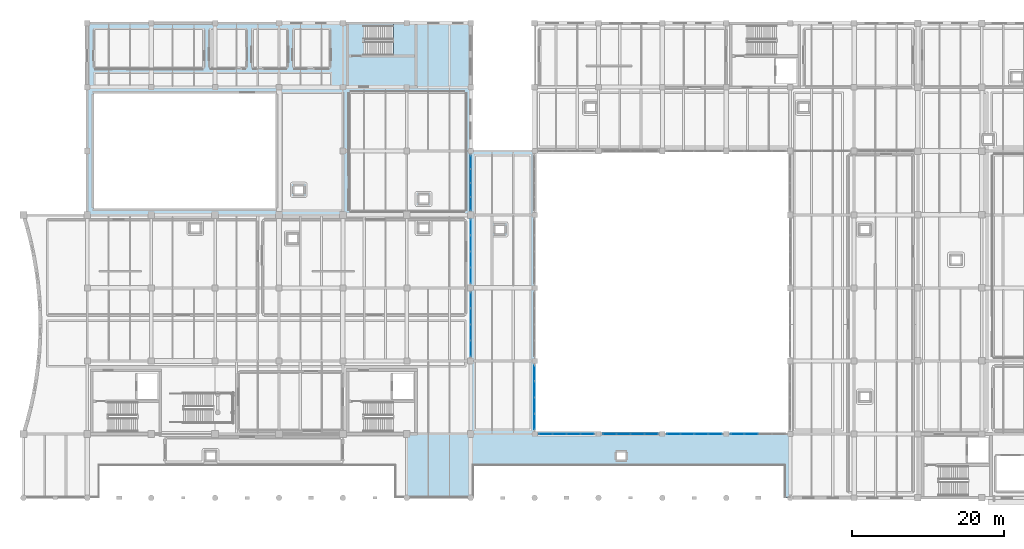
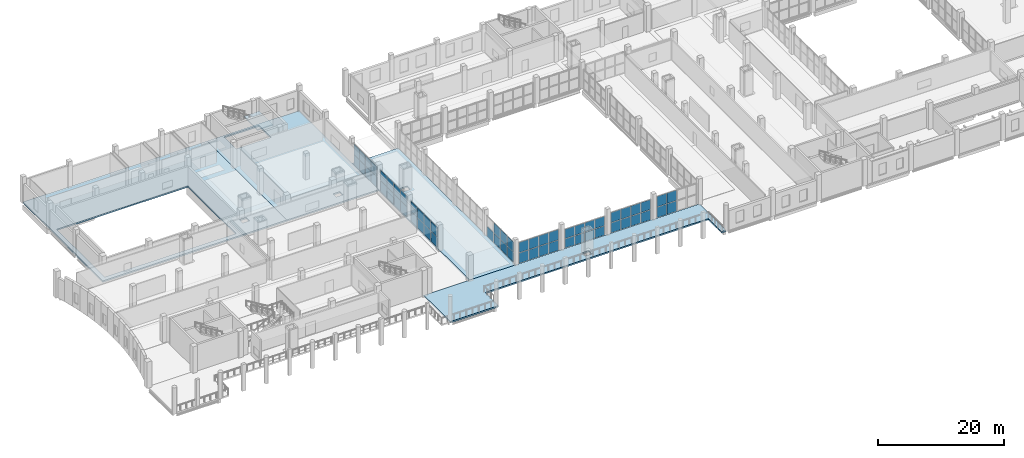
# One storey, part 39 of 66: 59 plates, 5 slabs, 9 elements without a shape of their own.
"""IFC4 building model written with IfcOpenShell, lengths in metres."""

from ifc_helpers import new_model, si_unit, direction, frame, origin, origin_2d, place, context, subcontext, project, spatial, polyline, rectangle, outline, extrude, material, layer, layer_set, type_object, element, aggregate, save


model = new_model("IFC4")

# Units and contexts
model_context = context("Model", 3, precision=1e-05, world=origin(), true_north=direction((0.0, 1.0)))
body_context = subcontext(model_context, "Body", "Model", "MODEL_VIEW")
ifc_project = project(units=[si_unit("LENGTHUNIT", "METRE"), si_unit("AREAUNIT", "SQUARE_METRE"), si_unit("VOLUMEUNIT", "CUBIC_METRE"), si_unit("PLANEANGLEUNIT", "RADIAN"), si_unit("MASSUNIT", "GRAM", prefix="KILO")], contexts=[model_context])

# Site, building, storey
site_placement = place(None, origin())
site = spatial("IfcSite", under=ifc_project, at=site_placement, CompositionType="ELEMENT")
building_placement = place(site_placement, origin())
building = spatial("IfcBuilding", under=site, at=building_placement, Name="Zulmaris Art Gallery", CompositionType="ELEMENT")
storey_placement = place(building_placement, frame((0.0, 0.0, 5.39990234375)))
storey = spatial("IfcBuildingStorey", under=building, at=storey_placement, Name="L01", CompositionType="ELEMENT", Elevation=5.39990234375)

# Curtain wall, plates
ifc_material_1 = material(Name="Cloister & Court Glazed Curtain Wall", Category="aluminium")
ifc_layer_1 = layer(ifc_material_1, 0.179931640625)
ifc_layer_set_1 = layer_set([ifc_layer_1], Name="Cloister & Court Glazed Curtain Wall")
curtain_wall_type = type_object("IfcCurtainWallType", Name="CW-CW03", PredefinedType="NOTDEFINED", material=ifc_layer_set_1)
curtain_wall_1_placement = place(storey_placement, origin())
curtain_wall_1 = element("IfcCurtainWall", 1, at=curtain_wall_1_placement, inside=storey, type_object=curtain_wall_type, Name="L01 curtain wall 71", PredefinedType="NOTDEFINED")
ifc_material_2 = material(Name="Triple Solar-Control Laminated Glass", Category="glass")
ifc_layer_2 = layer(ifc_material_2, 0.035888671875)
ifc_layer_set_2 = layer_set([ifc_layer_2], Name="Triple Solar-Control Laminated Glass")
plate_type = type_object("IfcPlateType", Name="CWPAN-GLZ", PredefinedType="CURTAIN_PANEL", material=ifc_layer_set_2)
plate_1_placement = place(storey_placement, frame((91.199951171875, 29.576171875, 0.0751953125), z_axis=(0.0, 0.0, 1.0), x_axis=(0.0, -1.0, 0.0)))
plate_1 = element("IfcPlate", 2, at=plate_1_placement, type_object=plate_type, Name="CW03 panel 1.1", PredefinedType="CURTAIN_PANEL", context=body_context, shape_type="SweptSolid", body=[
    extrude(rectangle(XDim=2.017578125, YDim=0.031982421875, at=origin_2d()), origin(), (0.0, 0.0, 1.0), 1.922607421875),
])
plate_2_placement = place(storey_placement, frame((91.199951171875, 27.465087890625, 0.0751953125), z_axis=(0.0, 0.0, 1.0), x_axis=(0.0, -1.0, 0.0)))
plate_2 = element("IfcPlate", 3, at=plate_2_placement, type_object=plate_type, Name="CW03 panel 2.1", PredefinedType="CURTAIN_PANEL", context=body_context, shape_type="SweptSolid", body=[
    extrude(rectangle(XDim=2.054931640625, YDim=0.031982421875, at=origin_2d()), origin(), (0.0, 0.0, 1.0), 1.922607421875),
])
plate_3_placement = place(storey_placement, frame((91.199951171875, 27.465087890625, 2.07275390625), z_axis=(0.0, 0.0, 1.0), x_axis=(0.0, -1.0, 0.0)))
plate_3 = element("IfcPlate", 4, at=plate_3_placement, type_object=plate_type, Name="CW03 panel 2.2", PredefinedType="CURTAIN_PANEL", context=body_context, shape_type="SweptSolid", body=[
    extrude(rectangle(XDim=2.054931640625, YDim=0.031982421875, at=origin_2d()), origin(), (0.0, 0.0, 1.0), 1.922607421875),
])
plate_4_placement = place(storey_placement, frame((91.199951171875, 25.3349609375, 0.0751953125), z_axis=(0.0, 0.0, 1.0), x_axis=(0.0, -1.0, 0.0)))
plate_4 = element("IfcPlate", 5, at=plate_4_placement, type_object=plate_type, Name="CW03 panel 3.1", PredefinedType="CURTAIN_PANEL", context=body_context, shape_type="SweptSolid", body=[
    extrude(rectangle(XDim=2.054931640625, YDim=0.031982421875, at=origin_2d()), origin(), (0.0, 0.0, 1.0), 1.922607421875),
])
plate_5_placement = place(storey_placement, frame((91.199951171875, 25.3349609375, 2.07275390625), z_axis=(0.0, 0.0, 1.0), x_axis=(0.0, -1.0, 0.0)))
plate_5 = element("IfcPlate", 6, at=plate_5_placement, type_object=plate_type, Name="CW03 panel 3.2", PredefinedType="CURTAIN_PANEL", context=body_context, shape_type="SweptSolid", body=[
    extrude(rectangle(XDim=2.054931640625, YDim=0.031982421875, at=origin_2d()), origin(), (0.0, 0.0, 1.0), 1.922607421875),
])
plate_6_placement = place(storey_placement, frame((91.199951171875, 23.2236328125, 0.0751953125), z_axis=(0.0, 0.0, 1.0), x_axis=(0.0, -1.0, 0.0)))
plate_6 = element("IfcPlate", 7, at=plate_6_placement, type_object=plate_type, Name="CW03 panel 4.1", PredefinedType="CURTAIN_PANEL", context=body_context, shape_type="SweptSolid", body=[
    extrude(rectangle(XDim=2.017578125, YDim=0.031982421875, at=origin_2d()), origin(), (0.0, 0.0, 1.0), 1.922607421875),
])
plate_7_placement = place(storey_placement, frame((91.199951171875, 23.2236328125, 2.07275390625), z_axis=(0.0, 0.0, 1.0), x_axis=(0.0, -1.0, 0.0)))
plate_7 = element("IfcPlate", 8, at=plate_7_placement, type_object=plate_type, Name="CW03 panel 4.2", PredefinedType="CURTAIN_PANEL", context=body_context, shape_type="SweptSolid", body=[
    extrude(rectangle(XDim=2.017578125, YDim=0.031982421875, at=origin_2d()), origin(), (0.0, 0.0, 1.0), 1.922607421875),
])
aggregate(curtain_wall_1, [plate_1, plate_2, plate_3, plate_4, plate_5, plate_6, plate_7])

curtain_wall_2_placement = place(storey_placement, origin())
curtain_wall_2 = element("IfcCurtainWall", 9, at=curtain_wall_2_placement, inside=storey, type_object=curtain_wall_type, Name="L01 curtain wall 72", PredefinedType="NOTDEFINED")
plate_8_placement = place(storey_placement, frame((82.800048828125, 32.82373046875, 0.0751953125), z_axis=(0.0, 0.0, 1.0), x_axis=(0.0, 1.0, 0.0)))
plate_8 = element("IfcPlate", 10, at=plate_8_placement, type_object=plate_type, Name="CW03 panel 1.1", PredefinedType="CURTAIN_PANEL", context=body_context, shape_type="SweptSolid", body=[
    extrude(rectangle(XDim=2.017578125, YDim=0.031982421875, at=origin_2d()), origin(), (0.0, 0.0, 1.0), 1.922607421875),
])
plate_9_placement = place(storey_placement, frame((82.800048828125, 32.82373046875, 2.07275390625), z_axis=(0.0, 0.0, 1.0), x_axis=(0.0, 1.0, 0.0)))
plate_9 = element("IfcPlate", 11, at=plate_9_placement, type_object=plate_type, Name="CW03 panel 1.2", PredefinedType="CURTAIN_PANEL", context=body_context, shape_type="SweptSolid", body=[
    extrude(rectangle(XDim=2.017578125, YDim=0.031982421875, at=origin_2d()), origin(), (0.0, 0.0, 1.0), 1.922607421875),
])
plate_10_placement = place(storey_placement, frame((82.800048828125, 34.93505859375, 0.0751953125), z_axis=(0.0, 0.0, 1.0), x_axis=(0.0, 1.0, 0.0)))
plate_10 = element("IfcPlate", 12, at=plate_10_placement, type_object=plate_type, Name="CW03 panel 2.1", PredefinedType="CURTAIN_PANEL", context=body_context, shape_type="SweptSolid", body=[
    extrude(rectangle(XDim=2.054931640625, YDim=0.031982421875, at=origin_2d()), origin(), (0.0, 0.0, 1.0), 1.922607421875),
])
plate_11_placement = place(storey_placement, frame((82.800048828125, 34.93505859375, 2.07275390625), z_axis=(0.0, 0.0, 1.0), x_axis=(0.0, 1.0, 0.0)))
plate_11 = element("IfcPlate", 13, at=plate_11_placement, type_object=plate_type, Name="CW03 panel 2.2", PredefinedType="CURTAIN_PANEL", context=body_context, shape_type="SweptSolid", body=[
    extrude(rectangle(XDim=2.054931640625, YDim=0.031982421875, at=origin_2d()), origin(), (0.0, 0.0, 1.0), 1.922607421875),
])
plate_12_placement = place(storey_placement, frame((82.800048828125, 37.06494140625, 0.0751953125), z_axis=(0.0, 0.0, 1.0), x_axis=(0.0, 1.0, 0.0)))
plate_12 = element("IfcPlate", 14, at=plate_12_placement, type_object=plate_type, Name="CW03 panel 3.1", PredefinedType="CURTAIN_PANEL", context=body_context, shape_type="SweptSolid", body=[
    extrude(rectangle(XDim=2.054931640625, YDim=0.031982421875, at=origin_2d()), origin(), (0.0, 0.0, 1.0), 1.922607421875),
])
plate_13_placement = place(storey_placement, frame((82.800048828125, 37.06494140625, 2.07275390625), z_axis=(0.0, 0.0, 1.0), x_axis=(0.0, 1.0, 0.0)))
plate_13 = element("IfcPlate", 15, at=plate_13_placement, type_object=plate_type, Name="CW03 panel 3.2", PredefinedType="CURTAIN_PANEL", context=body_context, shape_type="SweptSolid", body=[
    extrude(rectangle(XDim=2.054931640625, YDim=0.031982421875, at=origin_2d()), origin(), (0.0, 0.0, 1.0), 1.922607421875),
])
plate_14_placement = place(storey_placement, frame((82.800048828125, 39.17626953125, 0.0751953125), z_axis=(0.0, 0.0, 1.0), x_axis=(0.0, 1.0, 0.0)))
plate_14 = element("IfcPlate", 16, at=plate_14_placement, type_object=plate_type, Name="CW03 panel 4.1", PredefinedType="CURTAIN_PANEL", context=body_context, shape_type="SweptSolid", body=[
    extrude(rectangle(XDim=2.017578125, YDim=0.031982421875, at=origin_2d()), origin(), (0.0, 0.0, 1.0), 1.922607421875),
])
plate_15_placement = place(storey_placement, frame((82.800048828125, 39.17626953125, 2.07275390625), z_axis=(0.0, 0.0, 1.0), x_axis=(0.0, 1.0, 0.0)))
plate_15 = element("IfcPlate", 17, at=plate_15_placement, type_object=plate_type, Name="CW03 panel 4.2", PredefinedType="CURTAIN_PANEL", context=body_context, shape_type="SweptSolid", body=[
    extrude(rectangle(XDim=2.017578125, YDim=0.031982421875, at=origin_2d()), origin(), (0.0, 0.0, 1.0), 1.922607421875),
])
aggregate(curtain_wall_2, [plate_8, plate_9, plate_10, plate_11, plate_12, plate_13, plate_14, plate_15])

curtain_wall_3_placement = place(storey_placement, origin())
curtain_wall_3 = element("IfcCurtainWall", 18, at=curtain_wall_3_placement, inside=storey, type_object=curtain_wall_type, Name="L01 curtain wall 74", PredefinedType="NOTDEFINED")
plate_16_placement = place(storey_placement, frame((82.800048828125, 42.423828125, 0.0751953125), z_axis=(0.0, 0.0, 1.0), x_axis=(0.0, 1.0, 0.0)))
plate_16 = element("IfcPlate", 19, at=plate_16_placement, type_object=plate_type, Name="CW03 panel 1.1", PredefinedType="CURTAIN_PANEL", context=body_context, shape_type="SweptSolid", body=[
    extrude(rectangle(XDim=2.017578125, YDim=0.031982421875, at=origin_2d()), origin(), (0.0, 0.0, 1.0), 2.00244140625),
])
plate_17_placement = place(storey_placement, frame((82.800048828125, 42.423828125, 2.152587890625), z_axis=(0.0, 0.0, 1.0), x_axis=(0.0, 1.0, 0.0)))
plate_17 = element("IfcPlate", 20, at=plate_17_placement, type_object=plate_type, Name="CW03 panel 1.2", PredefinedType="CURTAIN_PANEL", context=body_context, shape_type="SweptSolid", body=[
    extrude(rectangle(XDim=2.017578125, YDim=0.031982421875, at=origin_2d()), origin(), (0.0, 0.0, 1.0), 2.00244140625),
])
plate_18_placement = place(storey_placement, frame((82.800048828125, 44.534912109375, 0.0751953125), z_axis=(0.0, 0.0, 1.0), x_axis=(0.0, 1.0, 0.0)))
plate_18 = element("IfcPlate", 21, at=plate_18_placement, type_object=plate_type, Name="CW03 panel 2.1", PredefinedType="CURTAIN_PANEL", context=body_context, shape_type="SweptSolid", body=[
    extrude(rectangle(XDim=2.054931640625, YDim=0.031982421875, at=origin_2d()), origin(), (0.0, 0.0, 1.0), 2.00244140625),
])
plate_19_placement = place(storey_placement, frame((82.800048828125, 44.534912109375, 2.152587890625), z_axis=(0.0, 0.0, 1.0), x_axis=(0.0, 1.0, 0.0)))
plate_19 = element("IfcPlate", 22, at=plate_19_placement, type_object=plate_type, Name="CW03 panel 2.2", PredefinedType="CURTAIN_PANEL", context=body_context, shape_type="SweptSolid", body=[
    extrude(rectangle(XDim=2.054931640625, YDim=0.031982421875, at=origin_2d()), origin(), (0.0, 0.0, 1.0), 2.00244140625),
])
plate_20_placement = place(storey_placement, frame((82.800048828125, 46.6650390625, 0.0751953125), z_axis=(0.0, 0.0, 1.0), x_axis=(0.0, 1.0, 0.0)))
plate_20 = element("IfcPlate", 23, at=plate_20_placement, type_object=plate_type, Name="CW03 panel 3.1", PredefinedType="CURTAIN_PANEL", context=body_context, shape_type="SweptSolid", body=[
    extrude(rectangle(XDim=2.054931640625, YDim=0.031982421875, at=origin_2d()), origin(), (0.0, 0.0, 1.0), 2.00244140625),
])
plate_21_placement = place(storey_placement, frame((82.800048828125, 46.6650390625, 2.152587890625), z_axis=(0.0, 0.0, 1.0), x_axis=(0.0, 1.0, 0.0)))
plate_21 = element("IfcPlate", 24, at=plate_21_placement, type_object=plate_type, Name="CW03 panel 3.2", PredefinedType="CURTAIN_PANEL", context=body_context, shape_type="SweptSolid", body=[
    extrude(rectangle(XDim=2.054931640625, YDim=0.031982421875, at=origin_2d()), origin(), (0.0, 0.0, 1.0), 2.00244140625),
])
plate_22_placement = place(storey_placement, frame((82.800048828125, 48.7763671875, 0.0751953125), z_axis=(0.0, 0.0, 1.0), x_axis=(0.0, 1.0, 0.0)))
plate_22 = element("IfcPlate", 25, at=plate_22_placement, type_object=plate_type, Name="CW03 panel 4.1", PredefinedType="CURTAIN_PANEL", context=body_context, shape_type="SweptSolid", body=[
    extrude(rectangle(XDim=2.017578125, YDim=0.031982421875, at=origin_2d()), origin(), (0.0, 0.0, 1.0), 2.00244140625),
])
plate_23_placement = place(storey_placement, frame((82.800048828125, 48.7763671875, 2.152587890625), z_axis=(0.0, 0.0, 1.0), x_axis=(0.0, 1.0, 0.0)))
plate_23 = element("IfcPlate", 26, at=plate_23_placement, type_object=plate_type, Name="CW03 panel 4.2", PredefinedType="CURTAIN_PANEL", context=body_context, shape_type="SweptSolid", body=[
    extrude(rectangle(XDim=2.017578125, YDim=0.031982421875, at=origin_2d()), origin(), (0.0, 0.0, 1.0), 2.00244140625),
])
aggregate(curtain_wall_3, [plate_16, plate_17, plate_18, plate_19, plate_20, plate_21, plate_22, plate_23])

curtain_wall_4_placement = place(storey_placement, origin())
curtain_wall_4 = element("IfcCurtainWall", 27, at=curtain_wall_4_placement, inside=storey, type_object=curtain_wall_type, Name="L01 curtain wall 76", PredefinedType="NOTDEFINED")
plate_24_placement = place(storey_placement, frame((82.800048828125, 51.873779296875, 0.0751953125), z_axis=(0.0, 0.0, 1.0), x_axis=(0.0, 1.0, 0.0)))
plate_24 = element("IfcPlate", 28, at=plate_24_placement, type_object=plate_type, Name="CW03 panel 1.1", PredefinedType="CURTAIN_PANEL", context=body_context, shape_type="SweptSolid", body=[
    extrude(rectangle(XDim=1.717529296875, YDim=0.031982421875, at=origin_2d()), origin(), (0.0, 0.0, 1.0), 1.972412109375),
])
plate_25_placement = place(storey_placement, frame((82.800048828125, 51.873779296875, 2.12255859375), z_axis=(0.0, 0.0, 1.0), x_axis=(0.0, 1.0, 0.0)))
plate_25 = element("IfcPlate", 29, at=plate_25_placement, type_object=plate_type, Name="CW03 panel 1.2", PredefinedType="CURTAIN_PANEL", context=body_context, shape_type="SweptSolid", body=[
    extrude(rectangle(XDim=1.717529296875, YDim=0.031982421875, at=origin_2d()), origin(), (0.0, 0.0, 1.0), 1.972412109375),
])
plate_26_placement = place(storey_placement, frame((82.800048828125, 53.68505859375, 0.0751953125), z_axis=(0.0, 0.0, 1.0), x_axis=(0.0, 1.0, 0.0)))
plate_26 = element("IfcPlate", 30, at=plate_26_placement, type_object=plate_type, Name="CW03 panel 2.1", PredefinedType="CURTAIN_PANEL", context=body_context, shape_type="SweptSolid", body=[
    extrude(rectangle(XDim=1.7548828125, YDim=0.031982421875, at=origin_2d()), origin(), (0.0, 0.0, 1.0), 1.972412109375),
])
plate_27_placement = place(storey_placement, frame((82.800048828125, 53.68505859375, 2.12255859375), z_axis=(0.0, 0.0, 1.0), x_axis=(0.0, 1.0, 0.0)))
plate_27 = element("IfcPlate", 31, at=plate_27_placement, type_object=plate_type, Name="CW03 panel 2.2", PredefinedType="CURTAIN_PANEL", context=body_context, shape_type="SweptSolid", body=[
    extrude(rectangle(XDim=1.7548828125, YDim=0.031982421875, at=origin_2d()), origin(), (0.0, 0.0, 1.0), 1.972412109375),
])
plate_28_placement = place(storey_placement, frame((82.800048828125, 55.514892578125, 0.0751953125), z_axis=(0.0, 0.0, 1.0), x_axis=(0.0, 1.0, 0.0)))
plate_28 = element("IfcPlate", 32, at=plate_28_placement, type_object=plate_type, Name="CW03 panel 3.1", PredefinedType="CURTAIN_PANEL", context=body_context, shape_type="SweptSolid", body=[
    extrude(rectangle(XDim=1.7548828125, YDim=0.031982421875, at=origin_2d()), origin(), (0.0, 0.0, 1.0), 1.972412109375),
])
plate_29_placement = place(storey_placement, frame((82.800048828125, 55.514892578125, 2.12255859375), z_axis=(0.0, 0.0, 1.0), x_axis=(0.0, 1.0, 0.0)))
plate_29 = element("IfcPlate", 33, at=plate_29_placement, type_object=plate_type, Name="CW03 panel 3.2", PredefinedType="CURTAIN_PANEL", context=body_context, shape_type="SweptSolid", body=[
    extrude(rectangle(XDim=1.7548828125, YDim=0.031982421875, at=origin_2d()), origin(), (0.0, 0.0, 1.0), 1.972412109375),
])
plate_30_placement = place(storey_placement, frame((82.800048828125, 57.326171875, 0.0751953125), z_axis=(0.0, 0.0, 1.0), x_axis=(0.0, 1.0, 0.0)))
plate_30 = element("IfcPlate", 34, at=plate_30_placement, type_object=plate_type, Name="CW03 panel 4.1", PredefinedType="CURTAIN_PANEL", context=body_context, shape_type="SweptSolid", body=[
    extrude(rectangle(XDim=1.717529296875, YDim=0.031982421875, at=origin_2d()), origin(), (0.0, 0.0, 1.0), 1.972412109375),
])
plate_31_placement = place(storey_placement, frame((82.800048828125, 57.326171875, 2.12255859375), z_axis=(0.0, 0.0, 1.0), x_axis=(0.0, 1.0, 0.0)))
plate_31 = element("IfcPlate", 35, at=plate_31_placement, type_object=plate_type, Name="CW03 panel 4.2", PredefinedType="CURTAIN_PANEL", context=body_context, shape_type="SweptSolid", body=[
    extrude(rectangle(XDim=1.717529296875, YDim=0.031982421875, at=origin_2d()), origin(), (0.0, 0.0, 1.0), 1.972412109375),
])
aggregate(curtain_wall_4, [plate_24, plate_25, plate_26, plate_27, plate_28, plate_29, plate_30, plate_31])

curtain_wall_5_placement = place(storey_placement, origin())
curtain_wall_5 = element("IfcCurtainWall", 36, at=curtain_wall_5_placement, inside=storey, type_object=curtain_wall_type, Name="L01 curtain wall 189", PredefinedType="NOTDEFINED")
plate_32_placement = place(storey_placement, frame((92.673828125, 21.60009765625, 0.074951171875), z_axis=(0.0, 0.0, 1.0), x_axis=(1.0, 0.0, 0.0)))
plate_32 = element("IfcPlate", 37, at=plate_32_placement, type_object=plate_type, Name="CW03 panel 1.1", PredefinedType="CURTAIN_PANEL", context=body_context, shape_type="SweptSolid", body=[
    extrude(rectangle(XDim=1.717529296875, YDim=0.031982421875, at=origin_2d()), origin(), (0.0, 0.0, 1.0), 1.97509765625),
])
plate_33_placement = place(storey_placement, frame((92.673828125, 21.60009765625, 2.125), z_axis=(0.0, 0.0, 1.0), x_axis=(1.0, 0.0, 0.0)))
plate_33 = element("IfcPlate", 38, at=plate_33_placement, type_object=plate_type, Name="CW03 panel 1.2", PredefinedType="CURTAIN_PANEL", context=body_context, shape_type="SweptSolid", body=[
    extrude(rectangle(XDim=1.717529296875, YDim=0.031982421875, at=origin_2d()), origin(), (0.0, 0.0, 1.0), 1.97509765625),
])
plate_34_placement = place(storey_placement, frame((94.485107421875, 21.60009765625, 0.074951171875), z_axis=(0.0, 0.0, 1.0), x_axis=(1.0, 0.0, 0.0)))
plate_34 = element("IfcPlate", 39, at=plate_34_placement, type_object=plate_type, Name="CW03 panel 2.1", PredefinedType="CURTAIN_PANEL", context=body_context, shape_type="SweptSolid", body=[
    extrude(rectangle(XDim=1.7548828125, YDim=0.031982421875, at=origin_2d()), origin(), (0.0, 0.0, 1.0), 1.97509765625),
])
plate_35_placement = place(storey_placement, frame((94.485107421875, 21.60009765625, 2.125), z_axis=(0.0, 0.0, 1.0), x_axis=(1.0, 0.0, 0.0)))
plate_35 = element("IfcPlate", 40, at=plate_35_placement, type_object=plate_type, Name="CW03 panel 2.2", PredefinedType="CURTAIN_PANEL", context=body_context, shape_type="SweptSolid", body=[
    extrude(rectangle(XDim=1.7548828125, YDim=0.031982421875, at=origin_2d()), origin(), (0.0, 0.0, 1.0), 1.97509765625),
])
plate_36_placement = place(storey_placement, frame((96.31494140625, 21.60009765625, 0.074951171875), z_axis=(0.0, 0.0, 1.0), x_axis=(1.0, 0.0, 0.0)))
plate_36 = element("IfcPlate", 41, at=plate_36_placement, type_object=plate_type, Name="CW03 panel 3.1", PredefinedType="CURTAIN_PANEL", context=body_context, shape_type="SweptSolid", body=[
    extrude(rectangle(XDim=1.7548828125, YDim=0.031982421875, at=origin_2d()), origin(), (0.0, 0.0, 1.0), 1.97509765625),
])
plate_37_placement = place(storey_placement, frame((96.31494140625, 21.60009765625, 2.125), z_axis=(0.0, 0.0, 1.0), x_axis=(1.0, 0.0, 0.0)))
plate_37 = element("IfcPlate", 42, at=plate_37_placement, type_object=plate_type, Name="CW03 panel 3.2", PredefinedType="CURTAIN_PANEL", context=body_context, shape_type="SweptSolid", body=[
    extrude(rectangle(XDim=1.7548828125, YDim=0.031982421875, at=origin_2d()), origin(), (0.0, 0.0, 1.0), 1.97509765625),
])
plate_38_placement = place(storey_placement, frame((98.126220703125, 21.60009765625, 0.074951171875), z_axis=(0.0, 0.0, 1.0), x_axis=(1.0, 0.0, 0.0)))
plate_38 = element("IfcPlate", 43, at=plate_38_placement, type_object=plate_type, Name="CW03 panel 4.1", PredefinedType="CURTAIN_PANEL", context=body_context, shape_type="SweptSolid", body=[
    extrude(rectangle(XDim=1.717529296875, YDim=0.031982421875, at=origin_2d()), origin(), (0.0, 0.0, 1.0), 1.97509765625),
])
plate_39_placement = place(storey_placement, frame((98.126220703125, 21.60009765625, 2.125), z_axis=(0.0, 0.0, 1.0), x_axis=(1.0, 0.0, 0.0)))
plate_39 = element("IfcPlate", 44, at=plate_39_placement, type_object=plate_type, Name="CW03 panel 4.2", PredefinedType="CURTAIN_PANEL", context=body_context, shape_type="SweptSolid", body=[
    extrude(rectangle(XDim=1.717529296875, YDim=0.031982421875, at=origin_2d()), origin(), (0.0, 0.0, 1.0), 1.97509765625),
])
aggregate(curtain_wall_5, [plate_32, plate_33, plate_34, plate_35, plate_36, plate_37, plate_38, plate_39])

curtain_wall_6_placement = place(storey_placement, origin())
curtain_wall_6 = element("IfcCurtainWall", 45, at=curtain_wall_6_placement, inside=storey, type_object=curtain_wall_type, Name="L01 curtain wall 190", PredefinedType="NOTDEFINED")
plate_40_placement = place(storey_placement, frame((101.07373046875, 21.60009765625, 0.0751953125), z_axis=(0.0, 0.0, 1.0), x_axis=(1.0, 0.0, 0.0)))
plate_40 = element("IfcPlate", 46, at=plate_40_placement, type_object=plate_type, Name="CW03 panel 1.1", PredefinedType="CURTAIN_PANEL", context=body_context, shape_type="SweptSolid", body=[
    extrude(rectangle(XDim=1.717529296875, YDim=0.031982421875, at=origin_2d()), origin(), (0.0, 0.0, 1.0), 1.7724609375),
])
plate_41_placement = place(storey_placement, frame((101.07373046875, 21.60009765625, 1.922607421875), z_axis=(0.0, 0.0, 1.0), x_axis=(1.0, 0.0, 0.0)))
plate_41 = element("IfcPlate", 47, at=plate_41_placement, type_object=plate_type, Name="CW03 panel 1.2", PredefinedType="CURTAIN_PANEL", context=body_context, shape_type="SweptSolid", body=[
    extrude(rectangle(XDim=1.717529296875, YDim=0.031982421875, at=origin_2d()), origin(), (0.0, 0.0, 1.0), 1.7724609375),
])
plate_42_placement = place(storey_placement, frame((102.885009765625, 21.60009765625, 0.0751953125), z_axis=(0.0, 0.0, 1.0), x_axis=(1.0, 0.0, 0.0)))
plate_42 = element("IfcPlate", 48, at=plate_42_placement, type_object=plate_type, Name="CW03 panel 2.1", PredefinedType="CURTAIN_PANEL", context=body_context, shape_type="SweptSolid", body=[
    extrude(rectangle(XDim=1.7548828125, YDim=0.031982421875, at=origin_2d()), origin(), (0.0, 0.0, 1.0), 1.7724609375),
])
plate_43_placement = place(storey_placement, frame((102.885009765625, 21.60009765625, 1.922607421875), z_axis=(0.0, 0.0, 1.0), x_axis=(1.0, 0.0, 0.0)))
plate_43 = element("IfcPlate", 49, at=plate_43_placement, type_object=plate_type, Name="CW03 panel 2.2", PredefinedType="CURTAIN_PANEL", context=body_context, shape_type="SweptSolid", body=[
    extrude(rectangle(XDim=1.7548828125, YDim=0.031982421875, at=origin_2d()), origin(), (0.0, 0.0, 1.0), 1.7724609375),
])
plate_44_placement = place(storey_placement, frame((104.715087890625, 21.60009765625, 0.0751953125), z_axis=(0.0, 0.0, 1.0), x_axis=(1.0, 0.0, 0.0)))
plate_44 = element("IfcPlate", 50, at=plate_44_placement, type_object=plate_type, Name="CW03 panel 3.1", PredefinedType="CURTAIN_PANEL", context=body_context, shape_type="SweptSolid", body=[
    extrude(rectangle(XDim=1.7548828125, YDim=0.031982421875, at=origin_2d()), origin(), (0.0, 0.0, 1.0), 1.7724609375),
])
plate_45_placement = place(storey_placement, frame((104.715087890625, 21.60009765625, 1.922607421875), z_axis=(0.0, 0.0, 1.0), x_axis=(1.0, 0.0, 0.0)))
plate_45 = element("IfcPlate", 51, at=plate_45_placement, type_object=plate_type, Name="CW03 panel 3.2", PredefinedType="CURTAIN_PANEL", context=body_context, shape_type="SweptSolid", body=[
    extrude(rectangle(XDim=1.7548828125, YDim=0.031982421875, at=origin_2d()), origin(), (0.0, 0.0, 1.0), 1.7724609375),
])
plate_46_placement = place(storey_placement, frame((106.5263671875, 21.60009765625, 0.0751953125), z_axis=(0.0, 0.0, 1.0), x_axis=(1.0, 0.0, 0.0)))
plate_46 = element("IfcPlate", 52, at=plate_46_placement, type_object=plate_type, Name="CW03 panel 4.1", PredefinedType="CURTAIN_PANEL", context=body_context, shape_type="SweptSolid", body=[
    extrude(rectangle(XDim=1.717529296875, YDim=0.031982421875, at=origin_2d()), origin(), (0.0, 0.0, 1.0), 1.7724609375),
])
plate_47_placement = place(storey_placement, frame((106.5263671875, 21.60009765625, 1.922607421875), z_axis=(0.0, 0.0, 1.0), x_axis=(1.0, 0.0, 0.0)))
plate_47 = element("IfcPlate", 53, at=plate_47_placement, type_object=plate_type, Name="CW03 panel 4.2", PredefinedType="CURTAIN_PANEL", context=body_context, shape_type="SweptSolid", body=[
    extrude(rectangle(XDim=1.717529296875, YDim=0.031982421875, at=origin_2d()), origin(), (0.0, 0.0, 1.0), 1.7724609375),
])
aggregate(curtain_wall_6, [plate_40, plate_41, plate_42, plate_43, plate_44, plate_45, plate_46, plate_47])

curtain_wall_7_placement = place(storey_placement, origin())
curtain_wall_7 = element("IfcCurtainWall", 54, at=curtain_wall_7_placement, inside=storey, type_object=curtain_wall_type, Name="L01 curtain wall 191", PredefinedType="NOTDEFINED")
plate_48_placement = place(storey_placement, frame((109.4736328125, 21.60009765625, 0.0751953125), z_axis=(0.0, 0.0, 1.0), x_axis=(1.0, 0.0, 0.0)))
plate_48 = element("IfcPlate", 55, at=plate_48_placement, type_object=plate_type, Name="CW03 panel 1.1", PredefinedType="CURTAIN_PANEL", context=body_context, shape_type="SweptSolid", body=[
    extrude(rectangle(XDim=1.717529296875, YDim=0.031982421875, at=origin_2d()), origin(), (0.0, 0.0, 1.0), 1.922607421875),
])
plate_49_placement = place(storey_placement, frame((109.4736328125, 21.60009765625, 2.07275390625), z_axis=(0.0, 0.0, 1.0), x_axis=(1.0, 0.0, 0.0)))
plate_49 = element("IfcPlate", 56, at=plate_49_placement, type_object=plate_type, Name="CW03 panel 1.2", PredefinedType="CURTAIN_PANEL", context=body_context, shape_type="SweptSolid", body=[
    extrude(rectangle(XDim=1.717529296875, YDim=0.031982421875, at=origin_2d()), origin(), (0.0, 0.0, 1.0), 1.922607421875),
])
plate_50_placement = place(storey_placement, frame((111.284912109375, 21.60009765625, 0.0751953125), z_axis=(0.0, 0.0, 1.0), x_axis=(1.0, 0.0, 0.0)))
plate_50 = element("IfcPlate", 57, at=plate_50_placement, type_object=plate_type, Name="CW03 panel 2.1", PredefinedType="CURTAIN_PANEL", context=body_context, shape_type="SweptSolid", body=[
    extrude(rectangle(XDim=1.7548828125, YDim=0.031982421875, at=origin_2d()), origin(), (0.0, 0.0, 1.0), 1.922607421875),
])
plate_51_placement = place(storey_placement, frame((111.284912109375, 21.60009765625, 2.07275390625), z_axis=(0.0, 0.0, 1.0), x_axis=(1.0, 0.0, 0.0)))
plate_51 = element("IfcPlate", 58, at=plate_51_placement, type_object=plate_type, Name="CW03 panel 2.2", PredefinedType="CURTAIN_PANEL", context=body_context, shape_type="SweptSolid", body=[
    extrude(rectangle(XDim=1.7548828125, YDim=0.031982421875, at=origin_2d()), origin(), (0.0, 0.0, 1.0), 1.922607421875),
])
plate_52_placement = place(storey_placement, frame((113.114990234375, 21.60009765625, 0.0751953125), z_axis=(0.0, 0.0, 1.0), x_axis=(1.0, 0.0, 0.0)))
plate_52 = element("IfcPlate", 59, at=plate_52_placement, type_object=plate_type, Name="CW03 panel 3.1", PredefinedType="CURTAIN_PANEL", context=body_context, shape_type="SweptSolid", body=[
    extrude(rectangle(XDim=1.7548828125, YDim=0.031982421875, at=origin_2d()), origin(), (0.0, 0.0, 1.0), 1.922607421875),
])
plate_53_placement = place(storey_placement, frame((113.114990234375, 21.60009765625, 2.07275390625), z_axis=(0.0, 0.0, 1.0), x_axis=(1.0, 0.0, 0.0)))
plate_53 = element("IfcPlate", 60, at=plate_53_placement, type_object=plate_type, Name="CW03 panel 3.2", PredefinedType="CURTAIN_PANEL", context=body_context, shape_type="SweptSolid", body=[
    extrude(rectangle(XDim=1.7548828125, YDim=0.031982421875, at=origin_2d()), origin(), (0.0, 0.0, 1.0), 1.922607421875),
])
plate_54_placement = place(storey_placement, frame((114.92626953125, 21.60009765625, 0.0751953125), z_axis=(0.0, 0.0, 1.0), x_axis=(1.0, 0.0, 0.0)))
plate_54 = element("IfcPlate", 61, at=plate_54_placement, type_object=plate_type, Name="CW03 panel 4.1", PredefinedType="CURTAIN_PANEL", context=body_context, shape_type="SweptSolid", body=[
    extrude(rectangle(XDim=1.717529296875, YDim=0.031982421875, at=origin_2d()), origin(), (0.0, 0.0, 1.0), 1.922607421875),
])
plate_55_placement = place(storey_placement, frame((114.92626953125, 21.60009765625, 2.07275390625), z_axis=(0.0, 0.0, 1.0), x_axis=(1.0, 0.0, 0.0)))
plate_55 = element("IfcPlate", 62, at=plate_55_placement, type_object=plate_type, Name="CW03 panel 4.2", PredefinedType="CURTAIN_PANEL", context=body_context, shape_type="SweptSolid", body=[
    extrude(rectangle(XDim=1.717529296875, YDim=0.031982421875, at=origin_2d()), origin(), (0.0, 0.0, 1.0), 1.922607421875),
])
aggregate(curtain_wall_7, [plate_48, plate_49, plate_50, plate_51, plate_52, plate_53, plate_54, plate_55])

curtain_wall_8_placement = place(storey_placement, origin())
curtain_wall_8 = element("IfcCurtainWall", 63, at=curtain_wall_8_placement, inside=storey, type_object=curtain_wall_type, Name="L01 curtain wall 192", PredefinedType="NOTDEFINED")
plate_56_placement = place(storey_placement, frame((117.873779296875, 21.60009765625, 0.0751953125), z_axis=(0.0, 0.0, 1.0), x_axis=(1.0, 0.0, 0.0)))
plate_56 = element("IfcPlate", 64, at=plate_56_placement, type_object=plate_type, Name="CW03 panel 1.1", PredefinedType="CURTAIN_PANEL", context=body_context, shape_type="SweptSolid", body=[
    extrude(rectangle(XDim=1.717529296875, YDim=0.031982421875, at=origin_2d()), origin(), (0.0, 0.0, 1.0), 2.00244140625),
])
plate_57_placement = place(storey_placement, frame((117.873779296875, 21.60009765625, 2.152587890625), z_axis=(0.0, 0.0, 1.0), x_axis=(1.0, 0.0, 0.0)))
plate_57 = element("IfcPlate", 65, at=plate_57_placement, type_object=plate_type, Name="CW03 panel 1.2", PredefinedType="CURTAIN_PANEL", context=body_context, shape_type="SweptSolid", body=[
    extrude(rectangle(XDim=1.717529296875, YDim=0.031982421875, at=origin_2d()), origin(), (0.0, 0.0, 1.0), 2.00244140625),
])
plate_58_placement = place(storey_placement, frame((119.68505859375, 21.60009765625, 0.0751953125), z_axis=(0.0, 0.0, 1.0), x_axis=(1.0, 0.0, 0.0)))
plate_58 = element("IfcPlate", 66, at=plate_58_placement, type_object=plate_type, Name="CW03 panel 2.1", PredefinedType="CURTAIN_PANEL", context=body_context, shape_type="SweptSolid", body=[
    extrude(rectangle(XDim=1.7548828125, YDim=0.031982421875, at=origin_2d()), origin(), (0.0, 0.0, 1.0), 2.00244140625),
])
plate_59_placement = place(storey_placement, frame((119.68505859375, 21.60009765625, 2.152587890625), z_axis=(0.0, 0.0, 1.0), x_axis=(1.0, 0.0, 0.0)))
plate_59 = element("IfcPlate", 67, at=plate_59_placement, type_object=plate_type, Name="CW03 panel 2.2", PredefinedType="CURTAIN_PANEL", context=body_context, shape_type="SweptSolid", body=[
    extrude(rectangle(XDim=1.7548828125, YDim=0.031982421875, at=origin_2d()), origin(), (0.0, 0.0, 1.0), 2.00244140625),
])
aggregate(curtain_wall_8, [plate_56, plate_57, plate_58, plate_59])

# Slabs
ifc_material_3 = material(Name="Concrete C40/50", Category="concrete")
ifc_layer_3 = layer(ifc_material_3, 0.280029296875)
ifc_layer_set_3 = layer_set([ifc_layer_3], Name="Concrete C40/50")
slab_type_1 = type_object("IfcSlabType", Name="SLAB-SL-FL02", PredefinedType="FLOOR", material=ifc_layer_set_3)
slab_1_placement = place(storey_placement, frame((0.0, 0.0, -0.27978515625)))
element("IfcSlab", 68, at=slab_1_placement, inside=storey, type_object=slab_type_1, Name="L01 V2-E slab", PredefinedType="FLOOR", context=body_context, shape_type="SweptSolid", body=[
    extrude(outline(polyline([(74.39990234375, 13.199951171875), (74.39990234375, 21.60009765625), (124.800048828125, 21.60009765625), (124.800048828125, 13.199951171875), (124.0, 13.199951171875), (124.0, 17.39990234375), (83.199951171875, 17.39990234375), (83.199951171875, 13.199951171875), (74.39990234375, 13.199951171875)]), holes=[polyline([(103.199951171875, 18.199951171875), (103.199951171875, 19.199951171875), (102.0, 19.199951171875), (102.0, 18.199951171875), (103.199951171875, 18.199951171875)])]), origin(), (0.0, 0.0, 1.0), 0.27978515625),
])
slab_2_placement = place(storey_placement, frame((0.0, 0.0, -0.27978515625)))
element("IfcSlab", 69, at=slab_2_placement, inside=storey, type_object=slab_type_1, Name="L01 V2-BR slab", PredefinedType="FLOOR", context=body_context, shape_type="SweptSolid", body=[
    extrude(outline(polyline([(82.800048828125, 21.60009765625), (82.800048828125, 58.800048828125), (91.199951171875, 58.800048828125), (91.199951171875, 21.60009765625), (82.800048828125, 21.60009765625)]), holes=[polyline([(87.199951171875, 48.0), (87.199951171875, 49.0), (86.0, 49.0), (86.0, 48.0), (87.199951171875, 48.0)])]), origin(), (0.0, 0.0, 1.0), 0.27978515625),
])
slab_3_placement = place(storey_placement, frame((0.0, 0.0, -0.27978515625)))
element("IfcSlab", 70, at=slab_3_placement, inside=storey, type_object=slab_type_1, Name="L01 V3-AUD slab", PredefinedType="FLOOR", context=body_context, shape_type="SweptSolid", body=[
    extrude(outline(polyline([(32.39990234375, 50.39990234375), (32.39990234375, 75.60009765625), (66.0, 75.60009765625), (66.0, 50.39990234375), (32.39990234375, 50.39990234375)]), holes=[polyline([(60.800048828125, 53.199951171875), (60.800048828125, 54.199951171875), (59.60009765625, 54.199951171875), (59.60009765625, 53.199951171875), (60.800048828125, 53.199951171875)]), polyline([(33.199951171875, 51.199951171875), (57.199951171875, 51.199951171875), (57.199951171875, 66.39990234375), (33.199951171875, 66.39990234375), (33.199951171875, 51.199951171875)])]), origin(), (0.0, 0.0, 1.0), 0.27978515625),
])
slab_4_placement = place(storey_placement, frame((0.0, 0.0, -0.27978515625)))
element("IfcSlab", 71, at=slab_4_placement, inside=storey, type_object=slab_type_1, Name="L01 V3-LRN slab", PredefinedType="FLOOR", context=body_context, shape_type="SweptSolid", body=[
    extrude(outline(polyline([(66.0, 50.39990234375), (66.0, 75.60009765625), (82.800048828125, 75.60009765625), (82.800048828125, 50.39990234375), (66.0, 50.39990234375)]), holes=[polyline([(77.199951171875, 52.0), (77.199951171875, 53.0), (76.0, 53.0), (76.0, 52.0), (77.199951171875, 52.0)]), polyline([(68.860107421875, 71.409912109375), (75.25, 71.409912109375), (75.25, 75.25), (68.860107421875, 75.25), (68.860107421875, 71.409912109375)])]), origin(), (0.0, 0.0, 1.0), 0.27978515625),
])

# Stair, slab
stair_type = type_object("IfcStairType", Name="STAIR-CORE", PredefinedType="HALF_TURN_STAIR", material=ifc_material_3)
stair_placement = place(storey_placement, origin())
stair = element("IfcStair", 72, at=stair_placement, inside=storey, type_object=stair_type, Name="L01 Exit Stair ST7", PredefinedType="HALF_TURN_STAIR")
ifc_layer_4 = layer(ifc_material_3, 0.2099609375)
ifc_layer_set_4 = layer_set([ifc_layer_4], Name="Concrete C40/50")
slab_type_2 = type_object("IfcSlabType", Name="SLAB-STLND", PredefinedType="LANDING", material=ifc_layer_set_4)
slab_5_placement = place(storey_placement, frame((0.0, 0.0, 2.35009765625)))
slab_5 = element("IfcSlab", 73, at=slab_5_placement, type_object=slab_type_2, Name="ST7 landing 1", PredefinedType="LANDING", context=body_context, shape_type="SweptSolid", body=[
    extrude(outline(polyline([(72.6201171875, 71.18994140625), (75.449951171875, 71.18994140625), (75.449951171875, 75.469970703125), (72.6201171875, 75.469970703125), (72.6201171875, 71.18994140625)])), origin(), (0.0, 0.0, 1.0), 0.199951171875),
])
aggregate(stair, [slab_5])

save(model, "model.ifc")
